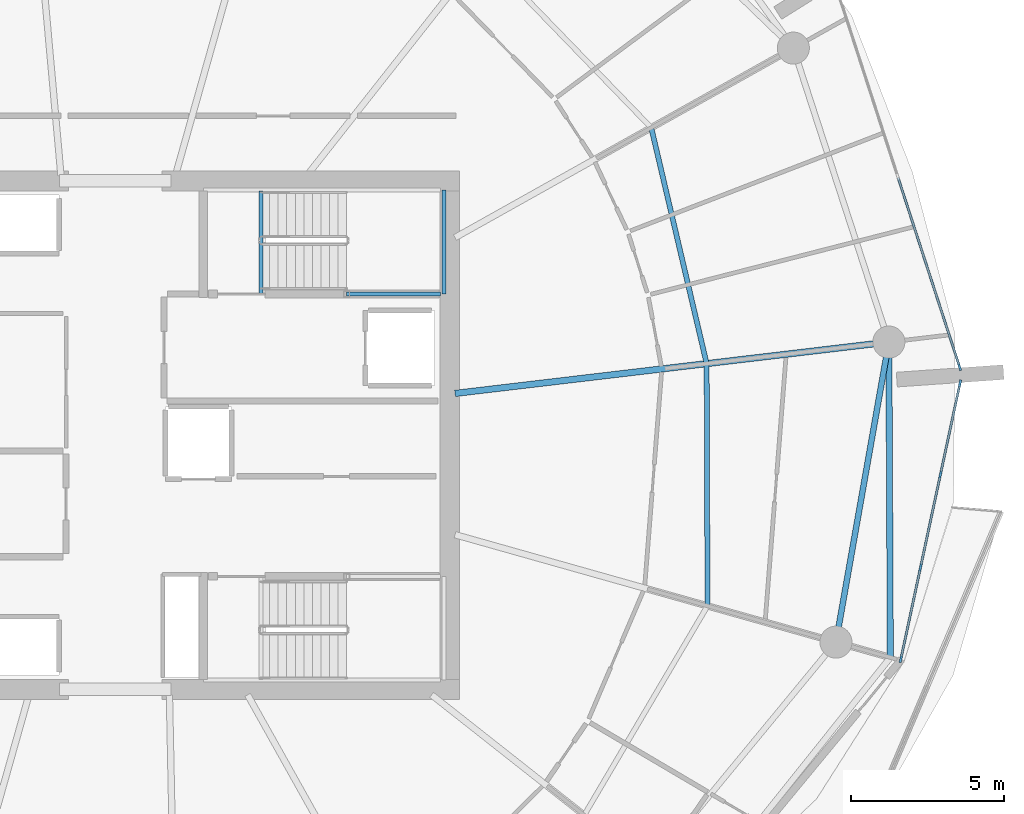
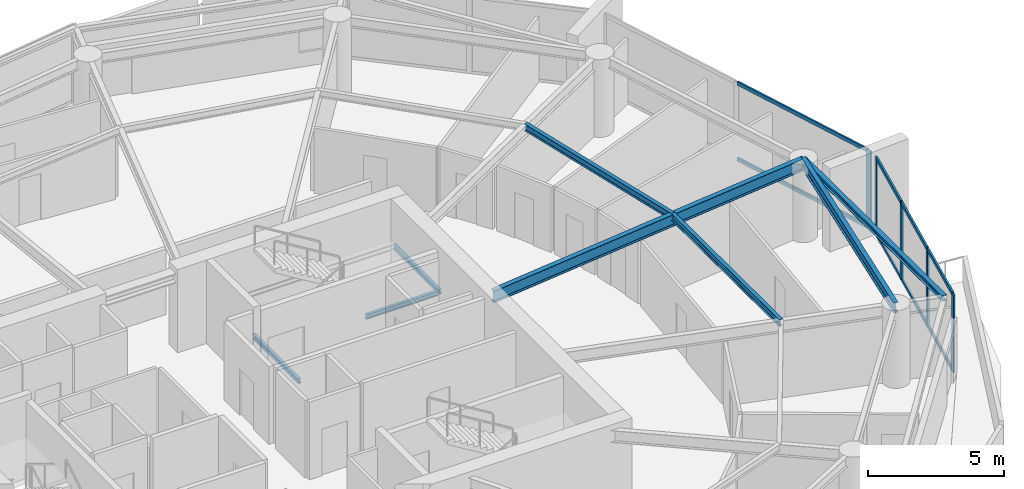
# One storey, part 7 of 21: 13 members, 8 beams, 2 elements without a shape of their own.
"""IFC4 building model written with IfcOpenShell, lengths in metres."""

from ifc_helpers import new_model, si_unit, direction, frame, origin, origin_2d, place, context, subcontext, project, spatial, rectangle, i_section, extrude, material, layer, layer_set, material_profile, profile_set, type_object, element, aggregate, save


model = new_model("IFC4")

# Units and contexts
model_context = context("Model", 3, precision=1e-05, world=origin(), true_north=direction((0.0, 1.0)))
body_context = subcontext(model_context, "Body", "Model", "MODEL_VIEW")
ifc_project = project(units=[si_unit("LENGTHUNIT", "METRE"), si_unit("AREAUNIT", "SQUARE_METRE"), si_unit("VOLUMEUNIT", "CUBIC_METRE"), si_unit("PLANEANGLEUNIT", "RADIAN"), si_unit("MASSUNIT", "GRAM", prefix="KILO")], contexts=[model_context])

# Site, building, storey
site_placement = place(None, origin())
site = spatial("IfcSite", under=ifc_project, at=site_placement, CompositionType="ELEMENT")
building_placement = place(site_placement, origin())
building = spatial("IfcBuilding", under=site, at=building_placement, Name="Kazma Halo Residences", CompositionType="ELEMENT")
storey_placement = place(building_placement, frame((0.0, 0.0, 195.300048828125)))
storey = spatial("IfcBuildingStorey", under=building, at=storey_placement, Name="L49", CompositionType="ELEMENT", Elevation=195.300048828125)

# Beams
ifc_material_1 = material(Name="Steel S355", Category="steel")
ifc_material_profile_1 = material_profile(ifc_material_1, i_section(OverallWidth=0.201904296875, OverallDepth=0.2470703125, WebThickness=0.00732421875, FlangeThickness=0.010986328125, FilletRadius=0.011962890625, at=origin_2d()), Name="W250x49.1")
ifc_profile_set_1 = profile_set([ifc_material_profile_1], Name="Steel S355")
beam_type_1 = type_object("IfcBeamType", Name="BM-BAL-CANT", PredefinedType="BEAM", material=ifc_profile_set_1)
beam_1_placement = place(storey_placement, frame((73.80029296875, 34.723388671875, 3.37646484375), z_axis=(-0.004705663334, 0.999988928305, 0.0), x_axis=(-0.999988928305, -0.004705663334, 0.0)))
element("IfcBeam", 1, at=beam_1_placement, inside=storey, type_object=beam_type_1, Name="L49 wave-balcony tie beam 15", PredefinedType="BEAM", context=body_context, shape_type="SweptSolid", body=[
    extrude(i_section(OverallWidth=0.201904296875, OverallDepth=0.2470703125, WebThickness=0.00732421875, FlangeThickness=0.010986328125, FilletRadius=0.011962890625, at=origin_2d()), origin(), (0.0, 0.0, 1.0), 10.324462890625),
])
ifc_material_profile_2 = material_profile(ifc_material_1, i_section(OverallWidth=0.208984375, OverallDepth=0.532958984375, WebThickness=0.01025390625, FlangeThickness=0.015625, FilletRadius=0.01611328125, at=origin_2d()), Name="W530x92")
ifc_profile_set_2 = profile_set([ifc_material_profile_2], Name="Steel S355")
beam_type_2 = type_object("IfcBeamType", Name="BM-RAD-W530", PredefinedType="BEAM", material=ifc_profile_set_2)
beam_2_placement = place(storey_placement, frame((59.550048828125, 43.366943359375, 3.2333984375), z_axis=(0.993068204292, 0.117539532174, 0.0), x_axis=(-0.117539532174, 0.993068204292, 0.0)))
element("IfcBeam", 2, at=beam_2_placement, inside=storey, type_object=beam_type_2, Name="L49 radial floor beam 16", PredefinedType="BEAM", context=body_context, shape_type="SweptSolid", body=[
    extrude(i_section(OverallWidth=0.208984375, OverallDepth=0.532958984375, WebThickness=0.01025390625, FlangeThickness=0.015625, FilletRadius=0.01611328125, at=origin_2d()), origin(), (0.0, 0.0, 1.0), 14.30078125),
])
ifc_material_profile_3 = material_profile(ifc_material_1, i_section(OverallWidth=0.1650390625, OverallDepth=0.31005859375, WebThickness=0.005859375, FlangeThickness=0.009765625, FilletRadius=0.011962890625, at=origin_2d()), Name="W310x38.7")
ifc_profile_set_3 = profile_set([ifc_material_profile_3], Name="Steel S355")
beam_type_3 = type_object("IfcBeamType", Name="BM-SEC-W310B", PredefinedType="JOIST", material=ifc_profile_set_3)
beam_3_placement = place(storey_placement, frame((67.815185546875, 36.41162109375, 3.344970703125), z_axis=(-0.003540400199, 0.999993732764, 0.0), x_axis=(-0.999993732764, -0.003540400199, 0.0)))
element("IfcBeam", 3, at=beam_3_placement, inside=storey, type_object=beam_type_3, Name="L49 circumferential floor joist 15", PredefinedType="JOIST", context=body_context, shape_type="SweptSolid", body=[
    extrude(i_section(OverallWidth=0.1650390625, OverallDepth=0.31005859375, WebThickness=0.005859375, FlangeThickness=0.009765625, FilletRadius=0.011962890625, at=origin_2d()), origin(), (0.0, 0.0, 1.0), 7.93017578125),
])
beam_4_placement = place(storey_placement, frame((67.787109375, 44.341796875, 3.344970703125), z_axis=(-0.228572787048, 0.973526826041, 0.0), x_axis=(-0.973526826041, -0.228572787048, 0.0)))
element("IfcBeam", 4, at=beam_4_placement, inside=storey, type_object=beam_type_3, Name="L49 circumferential floor joist 16", PredefinedType="JOIST", context=body_context, shape_type="SweptSolid", body=[
    extrude(i_section(OverallWidth=0.1650390625, OverallDepth=0.31005859375, WebThickness=0.005859375, FlangeThickness=0.009765625, FilletRadius=0.011962890625, at=origin_2d()), origin(), (0.0, 0.0, 1.0), 7.933837890625),
])
ifc_material_profile_4 = material_profile(ifc_material_1, i_section(OverallWidth=0.18994140625, OverallDepth=0.45703125, WebThickness=0.009033203125, FlangeThickness=0.014404296875, FilletRadius=0.01611328125, at=origin_2d()), Name="W460x74")
ifc_profile_set_4 = profile_set([ifc_material_profile_4], Name="Steel S355")
beam_type_4 = type_object("IfcBeamType", Name="BM-SPN-W460", PredefinedType="BEAM", material=ifc_profile_set_4)
beam_5_placement = place(storey_placement, frame((72.019775390625, 35.2255859375, 3.271484375), z_axis=(0.173648484202, 0.984807698962, 0.0), x_axis=(-0.984807698962, 0.173648484202, 0.0)))
element("IfcBeam", 5, at=beam_5_placement, inside=storey, type_object=beam_type_4, Name="L49 perimeter ring beam 15", PredefinedType="BEAM", context=body_context, shape_type="SweptSolid", body=[
    extrude(i_section(OverallWidth=0.18994140625, OverallDepth=0.45703125, WebThickness=0.009033203125, FlangeThickness=0.014404296875, FilletRadius=0.01611328125, at=origin_2d()), origin(), (0.0, 0.0, 1.0), 9.973876953125),
])
ifc_material_profile_5 = material_profile(ifc_material_1, i_section(OverallWidth=0.133056640625, OverallDepth=0.20703125, WebThickness=0.005859375, FlangeThickness=0.00830078125, FilletRadius=0.010009765625, at=origin_2d()), Name="W200x26.6")
ifc_profile_set_5 = profile_set([ifc_material_profile_5], Name="Steel S355")
beam_type_5 = type_object("IfcBeamType", Name="BM-TRIM-W200", PredefinedType="BEAM", material=ifc_profile_set_5)
beam_6_placement = place(storey_placement, frame((53.199951171875, 46.6201171875, -0.360107421875), z_axis=(0.0, 1.0, 0.0), x_axis=(-1.0, 0.0, 0.0)))
element("IfcBeam", 6, at=beam_6_placement, inside=storey, type_object=beam_type_5, Name="L49 ST-02 floor landing support beam", PredefinedType="BEAM", context=body_context, shape_type="SweptSolid", body=[
    extrude(i_section(OverallWidth=0.133056640625, OverallDepth=0.20703125, WebThickness=0.005859375, FlangeThickness=0.00830078125, FilletRadius=0.010009765625, at=origin_2d()), origin(), (0.0, 0.0, 1.0), 3.3798828125),
])
beam_7_placement = place(storey_placement, frame((56.0, 46.6201171875, 1.570068359375), z_axis=(1.0, 0.0, 0.0), x_axis=(0.0, 1.0, 0.0)))
element("IfcBeam", 7, at=beam_7_placement, inside=storey, type_object=beam_type_5, Name="L49 ST-02 landing south wall ledger", PredefinedType="BEAM", context=body_context, shape_type="SweptSolid", body=[
    extrude(i_section(OverallWidth=0.133056640625, OverallDepth=0.20703125, WebThickness=0.005859375, FlangeThickness=0.00830078125, FilletRadius=0.010009765625, at=origin_2d()), origin(), (0.0, 0.0, 1.0), 3.070068359375),
])
beam_8_placement = place(storey_placement, frame((59.18994140625, 46.6201171875, 1.570068359375), z_axis=(0.0, 1.0, 0.0), x_axis=(-1.0, 0.0, 0.0)))
element("IfcBeam", 8, at=beam_8_placement, inside=storey, type_object=beam_type_5, Name="L49 ST-02 landing end wall ledger", PredefinedType="BEAM", context=body_context, shape_type="SweptSolid", body=[
    extrude(i_section(OverallWidth=0.133056640625, OverallDepth=0.20703125, WebThickness=0.005859375, FlangeThickness=0.00830078125, FilletRadius=0.010009765625, at=origin_2d()), origin(), (0.0, 0.0, 1.0), 3.39990234375),
])

# Curtain wall, members
ifc_material_2 = material(Name="Aluminium AW-6063 T6 and Triple-Silver Low-E Glass", Category="aluminium")
ifc_layer = layer(ifc_material_2, 0.219970703125)
ifc_layer_set = layer_set([ifc_layer], Name="Aluminium AW-6063 T6 and Triple-Silver Low-E Glass")
curtain_wall_type = type_object("IfcCurtainWallType", Name="CW-SYS-4", PredefinedType="NOTDEFINED", material=ifc_layer_set)
curtain_wall_1_placement = place(storey_placement, origin())
curtain_wall_1 = element("IfcCurtainWall", 9, at=curtain_wall_1_placement, inside=storey, type_object=curtain_wall_type, Name="L49 unitised curtain wall B15", PredefinedType="NOTDEFINED")
ifc_material_3 = material(Name="Aluminium AW-6063 T6", Category="aluminium")
ifc_material_profile_6 = material_profile(ifc_material_3, rectangle(XDim=0.074951171875, YDim=0.219970703125, at=origin_2d()), Name="CWM-75x220")
ifc_profile_set_6 = profile_set([ifc_material_profile_6], Name="Aluminium AW-6063 T6")
member_type_1 = type_object("IfcMemberType", Name="CW-SYS-4-MUL", PredefinedType="MULLION", material=ifc_profile_set_6)
member_1_placement = place(storey_placement, frame((74.1435546875, 34.665771484375, 0.0), z_axis=(0.0, 0.0, 1.0), x_axis=(-0.977768017212, 0.209689543175, 0.0)))
member_1 = element("IfcMember", 10, at=member_1_placement, type_object=member_type_1, Name="CWS-4 mullion 1", PredefinedType="MULLION", context=body_context, shape_type="SweptSolid", body=[
    extrude(rectangle(XDim=0.074951171875, YDim=0.219970703125, at=origin_2d()), origin(), (0.0, 0.0, 1.0), 3.5),
])
member_2_placement = place(storey_placement, frame((74.787109375, 37.6669921875, 0.0), z_axis=(0.0, 0.0, 1.0), x_axis=(-0.977768017212, 0.209689543175, 0.0)))
member_2 = element("IfcMember", 11, at=member_2_placement, type_object=member_type_1, Name="CWS-4 mullion 2", PredefinedType="MULLION", context=body_context, shape_type="SweptSolid", body=[
    extrude(rectangle(XDim=0.074951171875, YDim=0.219970703125, at=origin_2d()), origin(), (0.0, 0.0, 1.0), 3.5),
])
member_3_placement = place(storey_placement, frame((75.438720703125, 40.704833984375, 0.0), z_axis=(0.0, 0.0, 1.0), x_axis=(-0.977768017212, 0.209689543175, 0.0)))
member_3 = element("IfcMember", 12, at=member_3_placement, type_object=member_type_1, Name="CWS-4 mullion 3", PredefinedType="MULLION", context=body_context, shape_type="SweptSolid", body=[
    extrude(rectangle(XDim=0.074951171875, YDim=0.219970703125, at=origin_2d()), origin(), (0.0, 0.0, 1.0), 3.5),
])
member_4_placement = place(storey_placement, frame((76.082275390625, 43.7060546875, 0.0), z_axis=(0.0, 0.0, 1.0), x_axis=(-0.977768017212, 0.209689543175, 0.0)))
member_4 = element("IfcMember", 13, at=member_4_placement, type_object=member_type_1, Name="CWS-4 mullion 4", PredefinedType="MULLION", context=body_context, shape_type="SweptSolid", body=[
    extrude(rectangle(XDim=0.074951171875, YDim=0.219970703125, at=origin_2d()), origin(), (0.0, 0.0, 1.0), 3.5),
])

# Curtain wall, member
curtain_wall_2_placement = place(storey_placement, origin())
curtain_wall_2 = element("IfcCurtainWall", 14, at=curtain_wall_2_placement, inside=storey, type_object=curtain_wall_type, Name="L49 unitised curtain wall B16", PredefinedType="NOTDEFINED")
member_5_placement = place(storey_placement, frame((76.0712890625, 44.22119140625, 0.0), z_axis=(0.0, 0.0, 1.0), x_axis=(-0.951056893636, -0.309015833038, 0.0)))
member_5 = element("IfcMember", 15, at=member_5_placement, type_object=member_type_1, Name="CWS-4 mullion 1", PredefinedType="MULLION", context=body_context, shape_type="SweptSolid", body=[
    extrude(rectangle(XDim=0.074951171875, YDim=0.219970703125, at=origin_2d()), origin(), (0.0, 0.0, 1.0), 3.5),
])

# Member
ifc_material_profile_7 = material_profile(ifc_material_3, rectangle(XDim=0.074951171875, YDim=0.1650390625, at=origin_2d()), Name="CWT-75x165")
ifc_profile_set_7 = profile_set([ifc_material_profile_7], Name="Aluminium AW-6063 T6")
member_type_2 = type_object("IfcMemberType", Name="CW-SYS-4-TRN", PredefinedType="USERDEFINED", material=ifc_profile_set_7)
member_6_placement = place(storey_placement, frame((74.1513671875, 34.702392578125, 0.037353515625), z_axis=(0.209707268418, 0.977764215735, 0.0), x_axis=(-0.977764215735, 0.209707268418, 0.0)))
member_6 = element("IfcMember", 16, at=member_6_placement, type_object=member_type_2, Name="CWS-4 transom 1.1", ObjectType="TRANSOM", PredefinedType="USERDEFINED", context=body_context, shape_type="SweptSolid", body=[
    extrude(rectangle(XDim=0.074951171875, YDim=0.1650390625, at=origin_2d()), origin(), (0.0, 0.0, 1.0), 2.994384765625),
])

member_7_placement = place(storey_placement, frame((74.1513671875, 34.702392578125, 3.46240234375), z_axis=(0.209707268418, 0.977764215735, 0.0), x_axis=(-0.977764215735, 0.209707268418, 0.0)))
member_7 = element("IfcMember", 17, at=member_7_placement, type_object=member_type_2, Name="CWS-4 transom 1.2", ObjectType="TRANSOM", PredefinedType="USERDEFINED", context=body_context, shape_type="SweptSolid", body=[
    extrude(rectangle(XDim=0.074951171875, YDim=0.1650390625, at=origin_2d()), origin(), (0.0, 0.0, 1.0), 2.994384765625),
])

member_8_placement = place(storey_placement, frame((74.794921875, 37.70361328125, 0.037353515625), z_axis=(0.209677559804, 0.977770587057, 0.0), x_axis=(-0.977770587057, 0.209677559804, 0.0)))
member_8 = element("IfcMember", 18, at=member_8_placement, type_object=member_type_2, Name="CWS-4 transom 2.1", ObjectType="TRANSOM", PredefinedType="USERDEFINED", context=body_context, shape_type="SweptSolid", body=[
    extrude(rectangle(XDim=0.074951171875, YDim=0.1650390625, at=origin_2d()), origin(), (0.0, 0.0, 1.0), 3.031982421875),
])

member_9_placement = place(storey_placement, frame((74.794921875, 37.70361328125, 3.46240234375), z_axis=(0.209677559804, 0.977770587057, 0.0), x_axis=(-0.977770587057, 0.209677559804, 0.0)))
member_9 = element("IfcMember", 19, at=member_9_placement, type_object=member_type_2, Name="CWS-4 transom 2.2", ObjectType="TRANSOM", PredefinedType="USERDEFINED", context=body_context, shape_type="SweptSolid", body=[
    extrude(rectangle(XDim=0.074951171875, YDim=0.1650390625, at=origin_2d()), origin(), (0.0, 0.0, 1.0), 3.031982421875),
])

member_10_placement = place(storey_placement, frame((75.446533203125, 40.741455078125, 0.037353515625), z_axis=(0.209690551496, 0.97776780097, 0.0), x_axis=(-0.97776780097, 0.209690551496, 0.0)))
member_10 = element("IfcMember", 20, at=member_10_placement, type_object=member_type_2, Name="CWS-4 transom 3.1", ObjectType="TRANSOM", PredefinedType="USERDEFINED", context=body_context, shape_type="SweptSolid", body=[
    extrude(rectangle(XDim=0.074951171875, YDim=0.1650390625, at=origin_2d()), origin(), (0.0, 0.0, 1.0), 2.99462890625),
])

member_11_placement = place(storey_placement, frame((75.446533203125, 40.741455078125, 3.46240234375), z_axis=(0.209690551496, 0.97776780097, 0.0), x_axis=(-0.97776780097, 0.209690551496, 0.0)))
member_11 = element("IfcMember", 21, at=member_11_placement, type_object=member_type_2, Name="CWS-4 transom 3.2", ObjectType="TRANSOM", PredefinedType="USERDEFINED", context=body_context, shape_type="SweptSolid", body=[
    extrude(rectangle(XDim=0.074951171875, YDim=0.1650390625, at=origin_2d()), origin(), (0.0, 0.0, 1.0), 2.99462890625),
])

aggregate(curtain_wall_1, [member_1, member_2, member_3, member_4, member_6, member_7, member_8, member_9, member_10, member_11])

member_12_placement = place(storey_placement, frame((76.0595703125, 44.2568359375, 0.037353515625), z_axis=(-0.30902650142, 0.951053427217, 0.0), x_axis=(-0.951053427217, -0.30902650142, 0.0)))
member_12 = element("IfcMember", 22, at=member_12_placement, type_object=member_type_2, Name="CWS-4 transom 1.1", ObjectType="TRANSOM", PredefinedType="USERDEFINED", context=body_context, shape_type="SweptSolid", body=[
    extrude(rectangle(XDim=0.074951171875, YDim=0.1650390625, at=origin_2d()), origin(), (0.0, 0.0, 1.0), 6.487060546875),
])

member_13_placement = place(storey_placement, frame((76.0595703125, 44.2568359375, 3.46240234375), z_axis=(-0.30902650142, 0.951053427217, 0.0), x_axis=(-0.951053427217, -0.30902650142, 0.0)))
member_13 = element("IfcMember", 23, at=member_13_placement, type_object=member_type_2, Name="CWS-4 transom 1.2", ObjectType="TRANSOM", PredefinedType="USERDEFINED", context=body_context, shape_type="SweptSolid", body=[
    extrude(rectangle(XDim=0.074951171875, YDim=0.1650390625, at=origin_2d()), origin(), (0.0, 0.0, 1.0), 6.487060546875),
])

aggregate(curtain_wall_2, [member_5, member_12, member_13])

save(model, "model.ifc")
